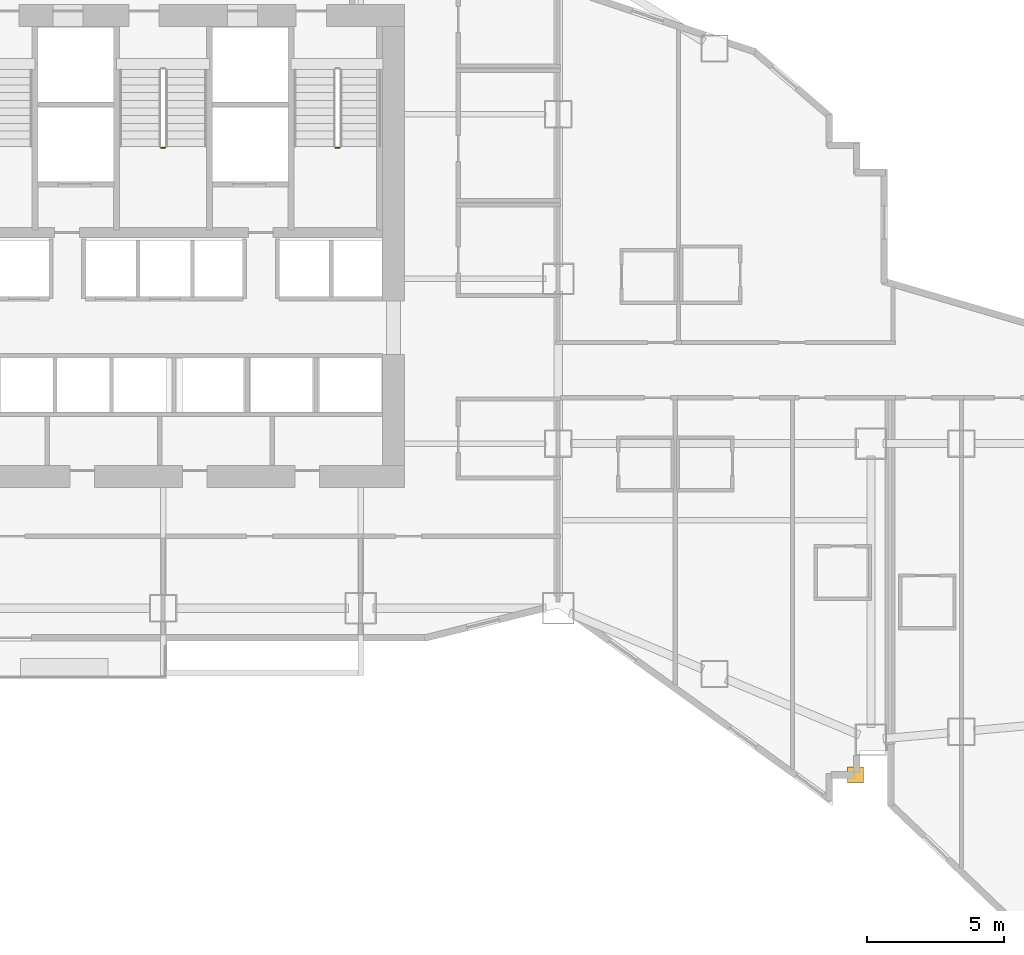
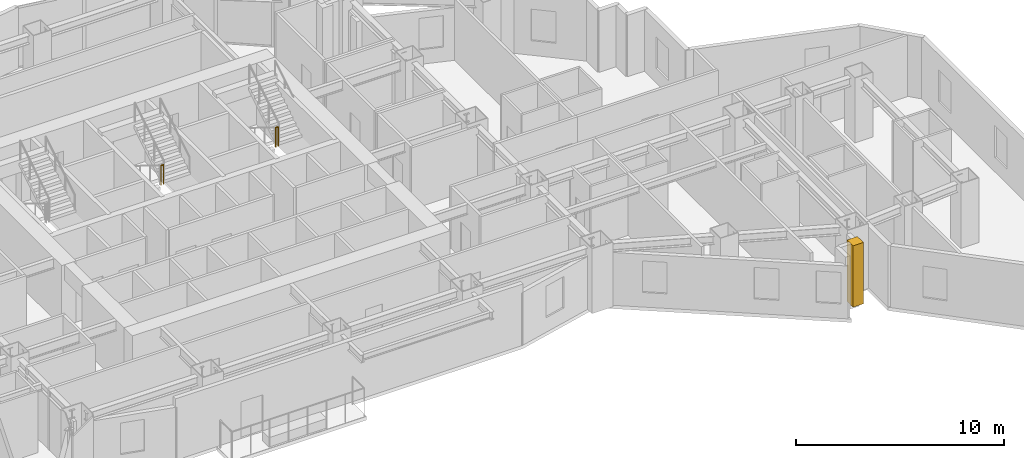
# One storey, part 15 of 17: 2 railings, 1 covering.
"""IFC4 building model written with IfcOpenShell, lengths in metres."""

from ifc_helpers import new_model, si_unit, direction, frame, origin, origin_2d, place, context, subcontext, project, spatial, rectangle, circle, extrude, material, layer, layer_set, type_object, element, save


model = new_model("IFC4")

# Units and contexts
model_context = context("Model", 3, precision=1e-05, world=origin(), true_north=direction((0.0, 1.0)))
body_context = subcontext(model_context, "Body", "Model", "MODEL_VIEW")
ifc_project = project(units=[si_unit("LENGTHUNIT", "METRE"), si_unit("AREAUNIT", "SQUARE_METRE"), si_unit("VOLUMEUNIT", "CUBIC_METRE"), si_unit("PLANEANGLEUNIT", "RADIAN"), si_unit("MASSUNIT", "GRAM", prefix="KILO")], contexts=[model_context])

# Site, building, storey
site_placement = place(None, origin())
site = spatial("IfcSite", under=ifc_project, at=site_placement, CompositionType="ELEMENT")
building_placement = place(site_placement, origin())
building = spatial("IfcBuilding", under=site, at=building_placement, Name="Haolan Belvedere Tower", CompositionType="ELEMENT")
storey_placement = place(building_placement, frame((0.0, 0.0, 55.199951171875)))
storey = spatial("IfcBuildingStorey", under=building, at=storey_placement, Name="L13", CompositionType="ELEMENT", Elevation=55.199951171875)

# Covering
ifc_material_1 = material(Name="Pale champagne-silver anodised aluminium rainscreen cladding", Category="aluminium")
ifc_layer = layer(ifc_material_1, 0.034912109375, Name="Pale champagne-silver anodised aluminium rainscreen cladding")
ifc_layer_set = layer_set([ifc_layer], Name="Pale champagne-silver anodised aluminium rainscreen cladding")
covering_type = type_object("IfcCoveringType", Name="COV-CLAD-35", PredefinedType="CLADDING", material=ifc_layer_set)
covering_placement = place(storey_placement, frame((63.637451171875, 15.52001953125, 0.0), z_axis=(0.0, 0.0, 1.0), x_axis=(1.0, 0.0, 0.0)))
element("IfcCovering", 1, at=covering_placement, inside=storey, type_object=covering_type, Name="L13 pale-metal serrated corner cladding trim 4", PredefinedType="CLADDING", context=body_context, shape_type="SweptSolid", body=[
    extrude(rectangle(XDim=0.580078125, YDim=0.580078125, at=origin_2d()), origin(), (0.0, 0.0, 1.0), 3.60009765625),
])

# Railings
ifc_material_2 = material(Name="Brushed stainless steel 304", Category="steel")
railing_type = type_object("IfcRailingType", Name="RL-STAIR-GRD-1150", PredefinedType="GUARDRAIL", material=ifc_material_2)
railing_1_placement = place(storey_placement, frame((38.330078125, 38.3798828125, 1.900146484375)))
element("IfcRailing", 2, at=railing_1_placement, inside=storey, type_object=railing_type, Name="L13 ST3 stair guard 2", PredefinedType="GUARDRAIL", context=body_context, shape_type="SweptSolid", body=[
    extrude(circle(Radius=0.02392578125, at=origin_2d()), frame((0.0, 0.0, 1.1259765625), z_axis=(1.0, 0.0, 0.0), x_axis=(0.0, 1.0, 0.0)), (0.0, 0.0, 1.0), 0.139892578125),
    extrude(circle(Radius=0.02099609375, at=origin_2d()), origin(), (0.0, 0.0, 1.0), 1.101806640625),
    extrude(circle(Radius=0.02099609375, at=origin_2d()), frame((0.139892578125, 0.0, 0.0)), (0.0, 0.0, 1.0), 1.101806640625),
])
railing_2_placement = place(storey_placement, frame((44.68994140625, 38.3798828125, 1.900146484375)))
element("IfcRailing", 3, at=railing_2_placement, inside=storey, type_object=railing_type, Name="L13 ST2 stair guard 2", PredefinedType="GUARDRAIL", context=body_context, shape_type="SweptSolid", body=[
    extrude(circle(Radius=0.02392578125, at=origin_2d()), frame((0.0, 0.0, 1.1259765625), z_axis=(1.0, 0.0, 0.0), x_axis=(0.0, 1.0, 0.0)), (0.0, 0.0, 1.0), 0.14013671875),
    extrude(circle(Radius=0.02099609375, at=origin_2d()), origin(), (0.0, 0.0, 1.0), 1.101806640625),
    extrude(circle(Radius=0.02099609375, at=origin_2d()), frame((0.14013671875, 0.0, 0.0)), (0.0, 0.0, 1.0), 1.101806640625),
])

save(model, "model.ifc")
